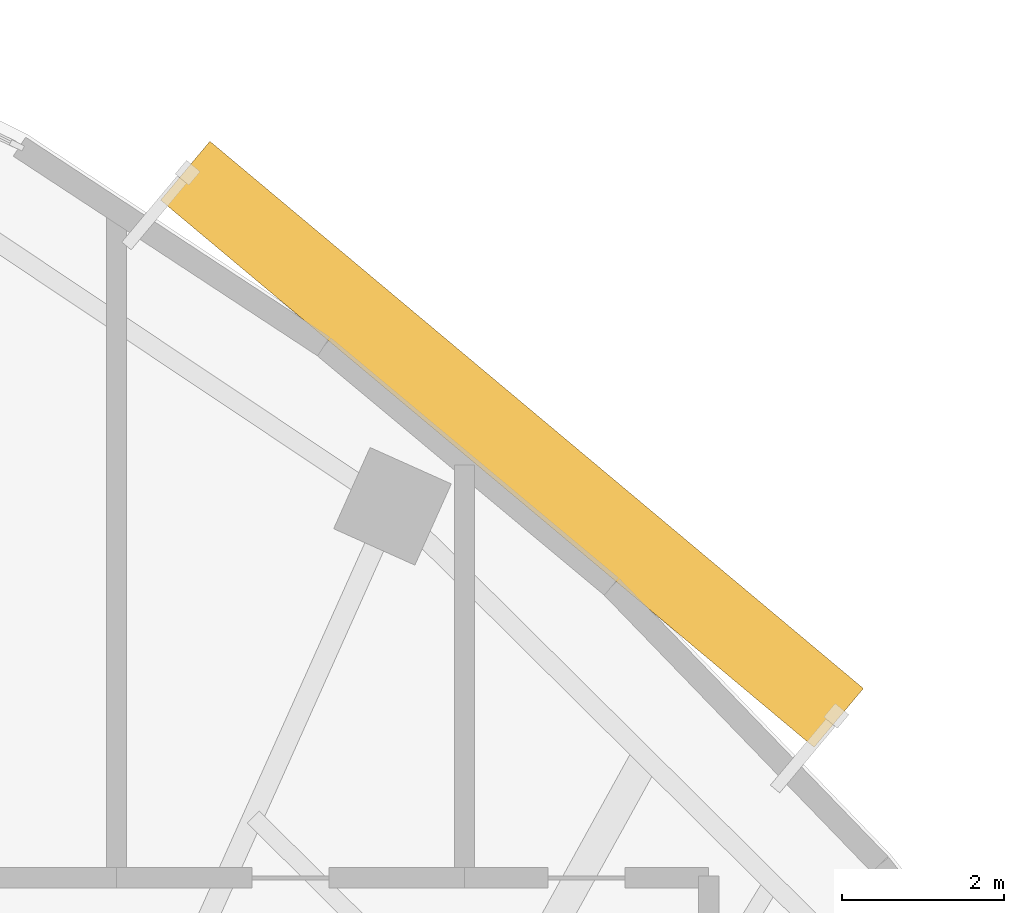
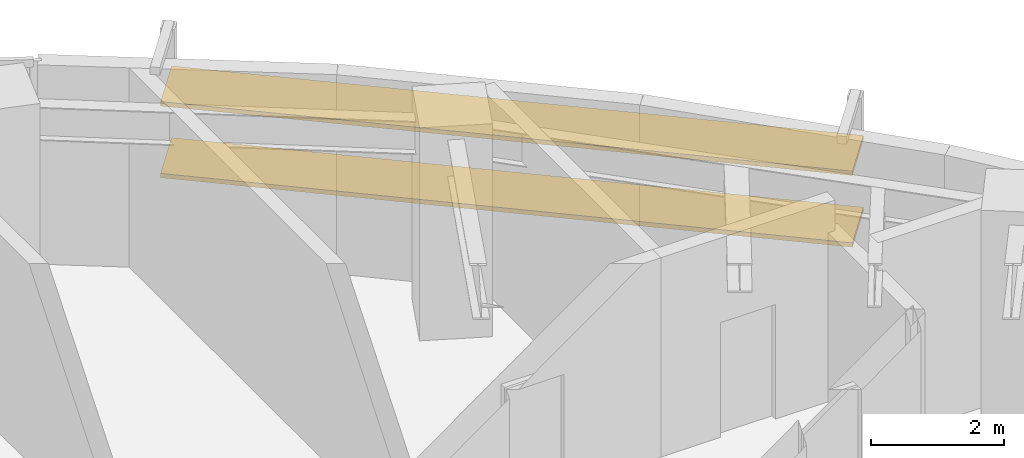
# One storey, part 13 of 13: 2 shading devices.
"""IFC4 building model written with IfcOpenShell, lengths in metres."""

from ifc_helpers import new_model, si_unit, direction, frame, origin, origin_2d, place, context, subcontext, project, spatial, rectangle, extrude, source, transform, mapped, material, material_profile, profile_set, type_object, element, save


model = new_model("IFC4")

# Units and contexts
model_context = context("Model", 3, precision=1e-05, world=origin(), true_north=direction((0.0, 1.0)))
body_context = subcontext(model_context, "Body", "Model", "MODEL_VIEW")
ifc_project = project(units=[si_unit("LENGTHUNIT", "METRE"), si_unit("AREAUNIT", "SQUARE_METRE"), si_unit("VOLUMEUNIT", "CUBIC_METRE"), si_unit("PLANEANGLEUNIT", "RADIAN"), si_unit("MASSUNIT", "GRAM", prefix="KILO")], contexts=[model_context])

# Site, building, storey
site_placement = place(None, origin())
site = spatial("IfcSite", under=ifc_project, at=site_placement, CompositionType="ELEMENT")
building_placement = place(site_placement, origin())
building = spatial("IfcBuilding", under=site, at=building_placement, Name="Breltana Convention Tower", CompositionType="ELEMENT")
storey_placement = place(building_placement, frame((0.0, 0.0, 181.800048828125)))
storey = spatial("IfcBuildingStorey", under=building, at=storey_placement, Name="L44", CompositionType="ELEMENT", Elevation=181.800048828125)

# Shading devices
ifc_material = material(Name="Limestone Warm Buff Honed", Category="masonry")
ifc_material_profile = material_profile(ifc_material, rectangle(XDim=0.949951171875, YDim=0.080078125, at=origin_2d()), Name="STN-LVR-950X80")
ifc_profile_set = profile_set([ifc_material_profile], Name="Limestone Warm Buff Honed")
shading_device_type = type_object("IfcShadingDeviceType", Name="SHD-OUTER-SKIN-LIMESTONE-950", PredefinedType="JALOUSIE", material=ifc_profile_set)
shared_shape = source(origin(), body_context, "Body", "SweptSolid", [
    extrude(rectangle(XDim=0.949951171875, YDim=0.080078125, at=origin_2d()), origin(), (0.0, 0.0, 1.0), 10.538330078125),
])
for number, where, z_axis, x_axis, name in (
    (1, (66.34814453125, 72.782958984375, 1.31396484375), (0.766705694316, -0.641998736996, 0.0), (0.641998736996, 0.766705694316, 0.0), "L44 outer skin warm limestone louvre 2.1"),
    (2, (66.34814453125, 72.782958984375, 2.6279296875), (0.766705694316, -0.641998736996, 0.0), (0.641998736996, 0.766705694316, 0.0), "L44 outer skin warm limestone louvre 2.2"),
):
    element("IfcShadingDevice", number, at=place(storey_placement, frame(where, z_axis=z_axis, x_axis=x_axis)), inside=storey, type_object=shading_device_type, Name=name, PredefinedType="JALOUSIE", context=body_context, shape_type="MappedRepresentation", body=[
        mapped(shared_shape, transform((0.0, 0.0, 0.0), scale=1.0)),
    ])

save(model, "model.ifc")
